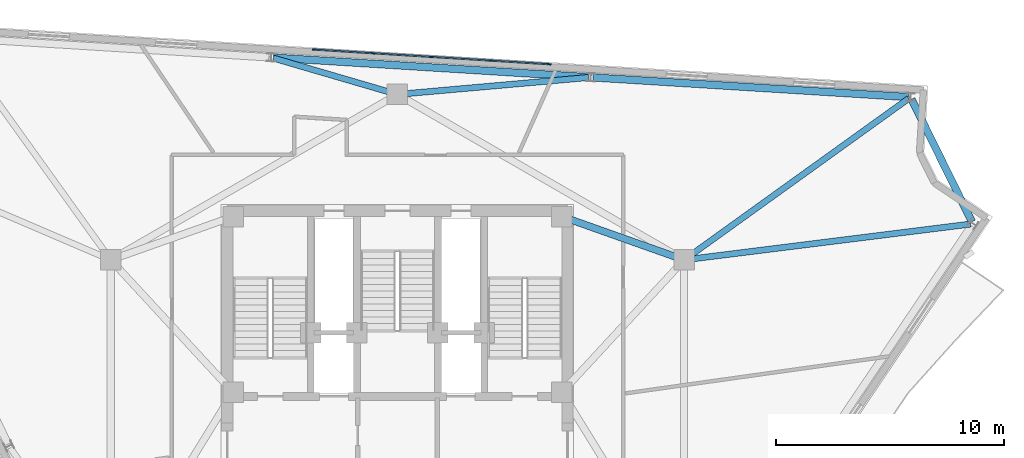
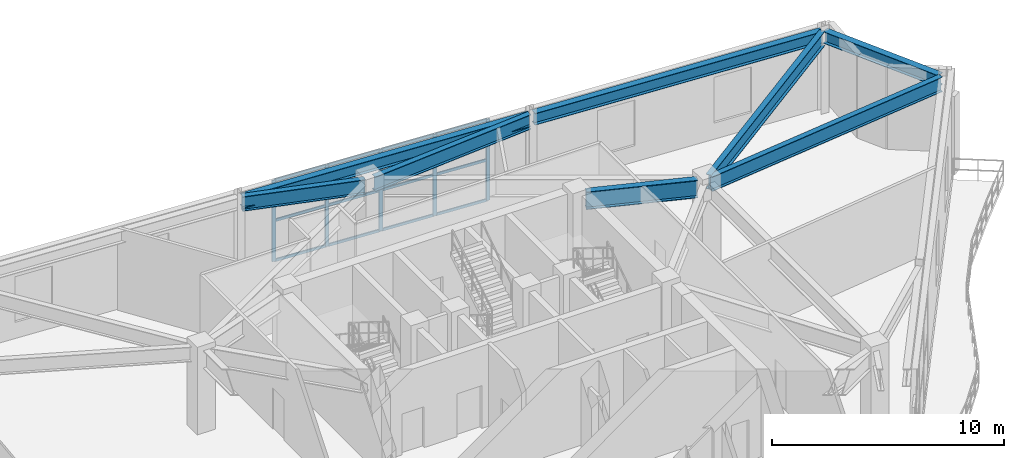
# One storey, part 8 of 15: 17 members, 8 beams, 1 element without a shape of its own.
"""IFC4 building model written with IfcOpenShell, lengths in metres."""

from ifc_helpers import new_model, si_unit, direction, frame, origin, origin_2d, place, context, subcontext, project, spatial, rectangle, i_section, extrude, material, layer, layer_set, material_profile, profile_set, type_object, element, aggregate, save


model = new_model("IFC4")

# Units and contexts
model_context = context("Model", 3, precision=1e-05, world=origin(), true_north=direction((0.0, 1.0)))
body_context = subcontext(model_context, "Body", "Model", "MODEL_VIEW")
ifc_project = project(units=[si_unit("LENGTHUNIT", "METRE"), si_unit("AREAUNIT", "SQUARE_METRE"), si_unit("VOLUMEUNIT", "CUBIC_METRE"), si_unit("PLANEANGLEUNIT", "RADIAN"), si_unit("MASSUNIT", "GRAM", prefix="KILO")], contexts=[model_context])

# Site, building, storey
site_placement = place(None, origin())
site = spatial("IfcSite", under=ifc_project, at=site_placement, CompositionType="ELEMENT")
building_placement = place(site_placement, origin())
building = spatial("IfcBuilding", under=site, at=building_placement, Name="Apsidion Concourse Tower", CompositionType="ELEMENT")
storey_placement = place(building_placement, frame((0.0, 0.0, 318.800048828125)))
storey = spatial("IfcBuildingStorey", under=building, at=storey_placement, Name="L75", CompositionType="ELEMENT", Elevation=318.800048828125)

# Beams
ifc_material_1 = material(Name="Structural steel ASTM A992 Grade 50", Category="steel")
ifc_material_profile_1 = material_profile(ifc_material_1, i_section(OverallWidth=0.31005859375, OverallDepth=0.931884765625, WebThickness=0.02099609375, FlangeThickness=0.034423828125, at=origin_2d()), Name="W36X210")
ifc_profile_set_1 = profile_set([ifc_material_profile_1], Name="Structural steel ASTM A992 Grade 50")
beam_type_1 = type_object("IfcBeamType", Name="BM-G-W36", PredefinedType="USERDEFINED", material=ifc_profile_set_1)
beam_1_placement = place(storey_placement, frame((12.18310546875, 7.383544921875, 3.85400390625), z_axis=(-0.942533844539, 0.334110688094, 0.0), x_axis=(-0.334110688094, -0.942533844539, 0.0)))
element("IfcBeam", 1, at=beam_1_placement, inside=storey, type_object=beam_type_1, Name="L75 Core Coupling Girder IC3-SC4", ObjectType="GIRDER", PredefinedType="USERDEFINED", context=body_context, shape_type="SweptSolid", body=[
    extrude(i_section(OverallWidth=0.31005859375, OverallDepth=0.931884765625, WebThickness=0.02099609375, FlangeThickness=0.034423828125, at=origin_2d()), origin(), (0.0, 0.0, 1.0), 4.886962890625),
])
ifc_material_profile_2 = material_profile(ifc_material_1, i_section(OverallWidth=0.324951171875, OverallDepth=0.616943359375, WebThickness=0.013916015625, FlangeThickness=0.021484375, at=origin_2d()), Name="W24X117")
ifc_profile_set_2 = profile_set([ifc_material_profile_2], Name="Structural steel ASTM A992 Grade 50")
beam_type_2 = type_object("IfcBeamType", Name="BM-SP-W24", PredefinedType="SPANDREL", material=ifc_profile_set_2)
beam_2_placement = place(storey_placement, frame((25.164794921875, 8.922119140625, 4.011474609375), z_axis=(-0.441884134894, 0.897072132734, 0.0), x_axis=(-0.897072132734, -0.441884134894, 0.0)))
element("IfcBeam", 2, at=beam_2_placement, inside=storey, type_object=beam_type_2, Name="L75 Perimeter Spandrel Girder SP-08", PredefinedType="SPANDREL", context=body_context, shape_type="SweptSolid", body=[
    extrude(i_section(OverallWidth=0.324951171875, OverallDepth=0.616943359375, WebThickness=0.013916015625, FlangeThickness=0.021484375, at=origin_2d()), origin(), (0.0, 0.0, 1.0), 5.982421875),
])
beam_3_placement = place(storey_placement, frame((22.377197265625, 14.384765625, 4.011474609375), z_axis=(-0.998077561187, 0.06197726886, 0.0), x_axis=(-0.06197726886, -0.998077561187, 0.0)))
element("IfcBeam", 3, at=beam_3_placement, inside=storey, type_object=beam_type_2, Name="L75 Perimeter Spandrel Girder SP-09", PredefinedType="SPANDREL", context=body_context, shape_type="SweptSolid", body=[
    extrude(i_section(OverallWidth=0.324951171875, OverallDepth=0.616943359375, WebThickness=0.013916015625, FlangeThickness=0.021484375, at=origin_2d()), origin(), (0.0, 0.0, 1.0), 13.83447265625),
])
beam_4_placement = place(storey_placement, frame((8.36962890625, 15.254638671875, 4.011474609375), z_axis=(-0.998076537228, 0.061993756414, 0.0), x_axis=(-0.061993756414, -0.998076537228, 0.0)))
element("IfcBeam", 4, at=beam_4_placement, inside=storey, type_object=beam_type_2, Name="L75 Perimeter Spandrel Girder SP-10", PredefinedType="SPANDREL", context=body_context, shape_type="SweptSolid", body=[
    extrude(i_section(OverallWidth=0.324951171875, OverallDepth=0.616943359375, WebThickness=0.013916015625, FlangeThickness=0.021484375, at=origin_2d()), origin(), (0.0, 0.0, 1.0), 13.834716796875),
])
ifc_material_profile_3 = material_profile(ifc_material_1, i_section(OverallWidth=0.26806640625, OverallDepth=0.77001953125, WebThickness=0.015625, FlangeThickness=0.025390625, at=origin_2d()), Name="W30X132")
ifc_profile_set_3 = profile_set([ifc_material_profile_3], Name="Structural steel ASTM A992 Grade 50")
beam_type_3 = type_object("IfcBeamType", Name="BM-SP-W30", PredefinedType="SPANDREL", material=ifc_profile_set_3)
beam_5_placement = place(storey_placement, frame((12.7783203125, 7.27734375, 3.93505859375), z_axis=(0.99226487514, 0.124138702924, 0.0), x_axis=(-0.124138702924, 0.99226487514, 0.0)))
element("IfcBeam", 5, at=beam_5_placement, inside=storey, type_object=beam_type_3, Name="L75 Radial Floor Girder RAD-08", PredefinedType="SPANDREL", context=body_context, shape_type="SweptSolid", body=[
    extrude(i_section(OverallWidth=0.26806640625, OverallDepth=0.77001953125, WebThickness=0.015625, FlangeThickness=0.025390625, at=origin_2d()), origin(), (0.0, 0.0, 1.0), 12.427490234375),
])
beam_6_placement = place(storey_placement, frame((12.738525390625, 7.37841796875, 3.93505859375), z_axis=(0.811991962087, 0.583668616174, 0.0), x_axis=(-0.583668616174, 0.811991962087, 0.0)))
element("IfcBeam", 6, at=beam_6_placement, inside=storey, type_object=beam_type_3, Name="L75 Radial Floor Girder RAD-09", PredefinedType="SPANDREL", context=body_context, shape_type="SweptSolid", body=[
    extrude(i_section(OverallWidth=0.26806640625, OverallDepth=0.77001953125, WebThickness=0.015625, FlangeThickness=0.025390625, at=origin_2d()), origin(), (0.0, 0.0, 1.0), 11.8935546875),
])
beam_7_placement = place(storey_placement, frame((0.218994140625, 14.519287109375, 3.93505859375), z_axis=(0.99611631584, 0.088047063082, 0.0), x_axis=(-0.088047063082, 0.99611631584, 0.0)))
element("IfcBeam", 7, at=beam_7_placement, inside=storey, type_object=beam_type_3, Name="L75 Radial Floor Girder RAD-10", PredefinedType="SPANDREL", context=body_context, shape_type="SweptSolid", body=[
    extrude(i_section(OverallWidth=0.26806640625, OverallDepth=0.77001953125, WebThickness=0.015625, FlangeThickness=0.025390625, at=origin_2d()), origin(), (0.0, 0.0, 1.0), 8.1826171875),
])
beam_8_placement = place(storey_placement, frame((-0.211181640625, 14.561767578125, 3.93505859375), z_axis=(-0.959858385002, 0.28048508114, 0.0), x_axis=(-0.28048508114, -0.959858385002, 0.0)))
element("IfcBeam", 8, at=beam_8_placement, inside=storey, type_object=beam_type_3, Name="L75 Radial Floor Girder RAD-11", PredefinedType="SPANDREL", context=body_context, shape_type="SweptSolid", body=[
    extrude(i_section(OverallWidth=0.26806640625, OverallDepth=0.77001953125, WebThickness=0.015625, FlangeThickness=0.025390625, at=origin_2d()), origin(), (0.0, 0.0, 1.0), 5.44970703125),
])

# Curtain wall, members
ifc_material_2 = material(Name="Insulated laminated low-E glass", Category="glass")
ifc_layer = layer(ifc_material_2, 0.22998046875)
ifc_layer_set = layer_set([ifc_layer], Name="Insulated laminated low-E glass")
curtain_wall_type = type_object("IfcCurtainWallType", Name="CW-SYS-05", PredefinedType="NOTDEFINED", material=ifc_layer_set)
curtain_wall_placement = place(storey_placement, origin())
curtain_wall = element("IfcCurtainWall", 9, at=curtain_wall_placement, inside=storey, type_object=curtain_wall_type, Name="L75 Sky Observatory Curtain Wall 1", PredefinedType="NOTDEFINED")
ifc_material_3 = material(Name="Anodised aluminium EN AW-6063 T6", Category="aluminium")
ifc_material_profile_4 = material_profile(ifc_material_3, rectangle(XDim=0.06494140625, YDim=0.179931640625, at=origin_2d()), Name="ALU MULLION 65x180")
ifc_profile_set_4 = profile_set([ifc_material_profile_4], Name="Anodised aluminium EN AW-6063 T6")
member_type_1 = type_object("IfcMemberType", Name="CWM-65X180", PredefinedType="MULLION", material=ifc_profile_set_4)
member_1_placement = place(storey_placement, frame((-3.640625, 16.462890625, 0.0), z_axis=(0.0, 0.0, 1.0), x_axis=(0.062249124598, 0.99806064269, 0.0)))
member_1 = element("IfcMember", 10, at=member_1_placement, type_object=member_type_1, Name="CW-05 mullion 1", PredefinedType="MULLION", context=body_context, shape_type="SweptSolid", body=[
    extrude(rectangle(XDim=0.06494140625, YDim=0.179931640625, at=origin_2d()), origin(), (0.0, 0.0, 1.0), 4.27001953125),
])
member_2_placement = place(storey_placement, frame((-1.08740234375, 16.303466796875, 0.0), z_axis=(0.0, 0.0, 1.0), x_axis=(0.062249124598, 0.99806064269, 0.0)))
member_2 = element("IfcMember", 11, at=member_2_placement, type_object=member_type_1, Name="CW-05 mullion 2", PredefinedType="MULLION", context=body_context, shape_type="SweptSolid", body=[
    extrude(rectangle(XDim=0.06494140625, YDim=0.179931640625, at=origin_2d()), origin(), (0.0, 0.0, 1.0), 4.27001953125),
])
member_3_placement = place(storey_placement, frame((1.49853515625, 16.142333984375, 0.0), z_axis=(0.0, 0.0, 1.0), x_axis=(0.062249124598, 0.99806064269, 0.0)))
member_3 = element("IfcMember", 12, at=member_3_placement, type_object=member_type_1, Name="CW-05 mullion 3", PredefinedType="MULLION", context=body_context, shape_type="SweptSolid", body=[
    extrude(rectangle(XDim=0.06494140625, YDim=0.179931640625, at=origin_2d()), origin(), (0.0, 0.0, 1.0), 4.27001953125),
])
member_4_placement = place(storey_placement, frame((4.084228515625, 15.98095703125, 0.0), z_axis=(0.0, 0.0, 1.0), x_axis=(0.062249124598, 0.99806064269, 0.0)))
member_4 = element("IfcMember", 13, at=member_4_placement, type_object=member_type_1, Name="CW-05 mullion 4", PredefinedType="MULLION", context=body_context, shape_type="SweptSolid", body=[
    extrude(rectangle(XDim=0.06494140625, YDim=0.179931640625, at=origin_2d()), origin(), (0.0, 0.0, 1.0), 4.27001953125),
])
member_5_placement = place(storey_placement, frame((6.637451171875, 15.82177734375, 0.0), z_axis=(0.0, 0.0, 1.0), x_axis=(0.062249124598, 0.99806064269, 0.0)))
member_5 = element("IfcMember", 14, at=member_5_placement, type_object=member_type_1, Name="CW-05 mullion 5", PredefinedType="MULLION", context=body_context, shape_type="SweptSolid", body=[
    extrude(rectangle(XDim=0.06494140625, YDim=0.179931640625, at=origin_2d()), origin(), (0.0, 0.0, 1.0), 4.27001953125),
])
ifc_material_profile_5 = material_profile(ifc_material_3, rectangle(XDim=0.06494140625, YDim=0.139892578125, at=origin_2d()), Name="ALU TRANSOM 65x140")
ifc_profile_set_5 = profile_set([ifc_material_profile_5], Name="Anodised aluminium EN AW-6063 T6")
member_type_2 = type_object("IfcMemberType", Name="CWT-65X140", PredefinedType="USERDEFINED", material=ifc_profile_set_5)
member_6_placement = place(storey_placement, frame((-3.608154296875, 16.460693359375, 0.032470703125), z_axis=(0.998064752572, -0.062183194455, 0.0), x_axis=(0.062183194455, 0.998064752572, 0.0)))
member_6 = element("IfcMember", 15, at=member_6_placement, type_object=member_type_2, Name="CW-05 transom 1.1", ObjectType="TRANSOM", PredefinedType="USERDEFINED", context=body_context, shape_type="SweptSolid", body=[
    extrude(rectangle(XDim=0.06494140625, YDim=0.139892578125, at=origin_2d()), origin(), (0.0, 0.0, 1.0), 2.4931640625),
])
member_7_placement = place(storey_placement, frame((-3.608154296875, 16.460693359375, 2.135009765625), z_axis=(0.998064752572, -0.062183194455, 0.0), x_axis=(0.062183194455, 0.998064752572, 0.0)))
member_7 = element("IfcMember", 16, at=member_7_placement, type_object=member_type_2, Name="CW-05 transom 1.2", ObjectType="TRANSOM", PredefinedType="USERDEFINED", context=body_context, shape_type="SweptSolid", body=[
    extrude(rectangle(XDim=0.06494140625, YDim=0.139892578125, at=origin_2d()), origin(), (0.0, 0.0, 1.0), 2.4931640625),
])
member_8_placement = place(storey_placement, frame((-3.608154296875, 16.460693359375, 4.237548828125), z_axis=(0.998064752572, -0.062183194455, 0.0), x_axis=(0.062183194455, 0.998064752572, 0.0)))
member_8 = element("IfcMember", 17, at=member_8_placement, type_object=member_type_2, Name="CW-05 transom 1.3", ObjectType="TRANSOM", PredefinedType="USERDEFINED", context=body_context, shape_type="SweptSolid", body=[
    extrude(rectangle(XDim=0.06494140625, YDim=0.139892578125, at=origin_2d()), origin(), (0.0, 0.0, 1.0), 2.4931640625),
])
member_9_placement = place(storey_placement, frame((-1.054931640625, 16.301513671875, 0.032470703125), z_axis=(0.998060843683, -0.06224590193, 0.0), x_axis=(0.06224590193, 0.998060843683, 0.0)))
member_9 = element("IfcMember", 18, at=member_9_placement, type_object=member_type_2, Name="CW-05 transom 2.1", ObjectType="TRANSOM", PredefinedType="USERDEFINED", context=body_context, shape_type="SweptSolid", body=[
    extrude(rectangle(XDim=0.06494140625, YDim=0.139892578125, at=origin_2d()), origin(), (0.0, 0.0, 1.0), 2.52587890625),
])
member_10_placement = place(storey_placement, frame((-1.054931640625, 16.301513671875, 2.135009765625), z_axis=(0.998060843683, -0.06224590193, 0.0), x_axis=(0.06224590193, 0.998060843683, 0.0)))
member_10 = element("IfcMember", 19, at=member_10_placement, type_object=member_type_2, Name="CW-05 transom 2.2", ObjectType="TRANSOM", PredefinedType="USERDEFINED", context=body_context, shape_type="SweptSolid", body=[
    extrude(rectangle(XDim=0.06494140625, YDim=0.139892578125, at=origin_2d()), origin(), (0.0, 0.0, 1.0), 2.52587890625),
])
member_11_placement = place(storey_placement, frame((-1.054931640625, 16.301513671875, 4.237548828125), z_axis=(0.998060843683, -0.06224590193, 0.0), x_axis=(0.06224590193, 0.998060843683, 0.0)))
member_11 = element("IfcMember", 20, at=member_11_placement, type_object=member_type_2, Name="CW-05 transom 2.3", ObjectType="TRANSOM", PredefinedType="USERDEFINED", context=body_context, shape_type="SweptSolid", body=[
    extrude(rectangle(XDim=0.06494140625, YDim=0.139892578125, at=origin_2d()), origin(), (0.0, 0.0, 1.0), 2.52587890625),
])
member_12_placement = place(storey_placement, frame((1.531005859375, 16.14013671875, 0.032470703125), z_axis=(0.998060469133, -0.062251907227, 0.0), x_axis=(0.062251907227, 0.998060469133, 0.0)))
member_12 = element("IfcMember", 21, at=member_12_placement, type_object=member_type_2, Name="CW-05 transom 3.1", ObjectType="TRANSOM", PredefinedType="USERDEFINED", context=body_context, shape_type="SweptSolid", body=[
    extrude(rectangle(XDim=0.06494140625, YDim=0.139892578125, at=origin_2d()), origin(), (0.0, 0.0, 1.0), 2.525634765625),
])
member_13_placement = place(storey_placement, frame((1.531005859375, 16.14013671875, 2.135009765625), z_axis=(0.998060469133, -0.062251907227, 0.0), x_axis=(0.062251907227, 0.998060469133, 0.0)))
member_13 = element("IfcMember", 22, at=member_13_placement, type_object=member_type_2, Name="CW-05 transom 3.2", ObjectType="TRANSOM", PredefinedType="USERDEFINED", context=body_context, shape_type="SweptSolid", body=[
    extrude(rectangle(XDim=0.06494140625, YDim=0.139892578125, at=origin_2d()), origin(), (0.0, 0.0, 1.0), 2.525634765625),
])
member_14_placement = place(storey_placement, frame((1.531005859375, 16.14013671875, 4.237548828125), z_axis=(0.998060469133, -0.062251907227, 0.0), x_axis=(0.062251907227, 0.998060469133, 0.0)))
member_14 = element("IfcMember", 23, at=member_14_placement, type_object=member_type_2, Name="CW-05 transom 3.3", ObjectType="TRANSOM", PredefinedType="USERDEFINED", context=body_context, shape_type="SweptSolid", body=[
    extrude(rectangle(XDim=0.06494140625, YDim=0.139892578125, at=origin_2d()), origin(), (0.0, 0.0, 1.0), 2.525634765625),
])
member_15_placement = place(storey_placement, frame((4.11669921875, 15.97900390625, 0.032470703125), z_axis=(0.998059050045, -0.062274654746, 0.0), x_axis=(0.062274654746, 0.998059050045, 0.0)))
member_15 = element("IfcMember", 24, at=member_15_placement, type_object=member_type_2, Name="CW-05 transom 4.1", ObjectType="TRANSOM", PredefinedType="USERDEFINED", context=body_context, shape_type="SweptSolid", body=[
    extrude(rectangle(XDim=0.06494140625, YDim=0.139892578125, at=origin_2d()), origin(), (0.0, 0.0, 1.0), 2.493408203125),
])
member_16_placement = place(storey_placement, frame((4.11669921875, 15.97900390625, 2.135009765625), z_axis=(0.998059050045, -0.062274654746, 0.0), x_axis=(0.062274654746, 0.998059050045, 0.0)))
member_16 = element("IfcMember", 25, at=member_16_placement, type_object=member_type_2, Name="CW-05 transom 4.2", ObjectType="TRANSOM", PredefinedType="USERDEFINED", context=body_context, shape_type="SweptSolid", body=[
    extrude(rectangle(XDim=0.06494140625, YDim=0.139892578125, at=origin_2d()), origin(), (0.0, 0.0, 1.0), 2.493408203125),
])
member_17_placement = place(storey_placement, frame((4.11669921875, 15.97900390625, 4.237548828125), z_axis=(0.998059050045, -0.062274654746, 0.0), x_axis=(0.062274654746, 0.998059050045, 0.0)))
member_17 = element("IfcMember", 26, at=member_17_placement, type_object=member_type_2, Name="CW-05 transom 4.3", ObjectType="TRANSOM", PredefinedType="USERDEFINED", context=body_context, shape_type="SweptSolid", body=[
    extrude(rectangle(XDim=0.06494140625, YDim=0.139892578125, at=origin_2d()), origin(), (0.0, 0.0, 1.0), 2.493408203125),
])
aggregate(curtain_wall, [member_1, member_2, member_3, member_4, member_5, member_6, member_7, member_8, member_9, member_10, member_11, member_12, member_13, member_14, member_15, member_16, member_17])

save(model, "model.ifc")
